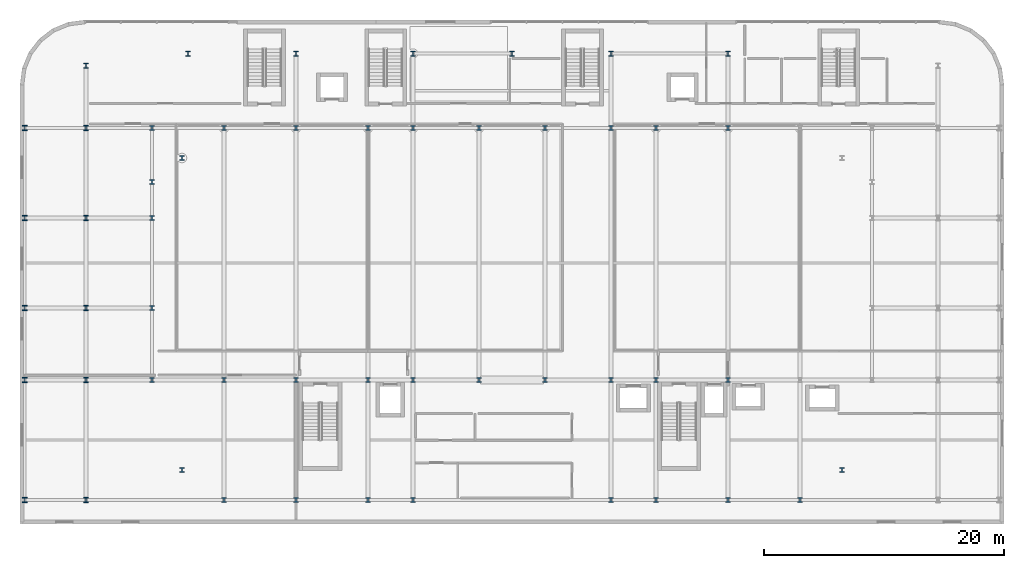
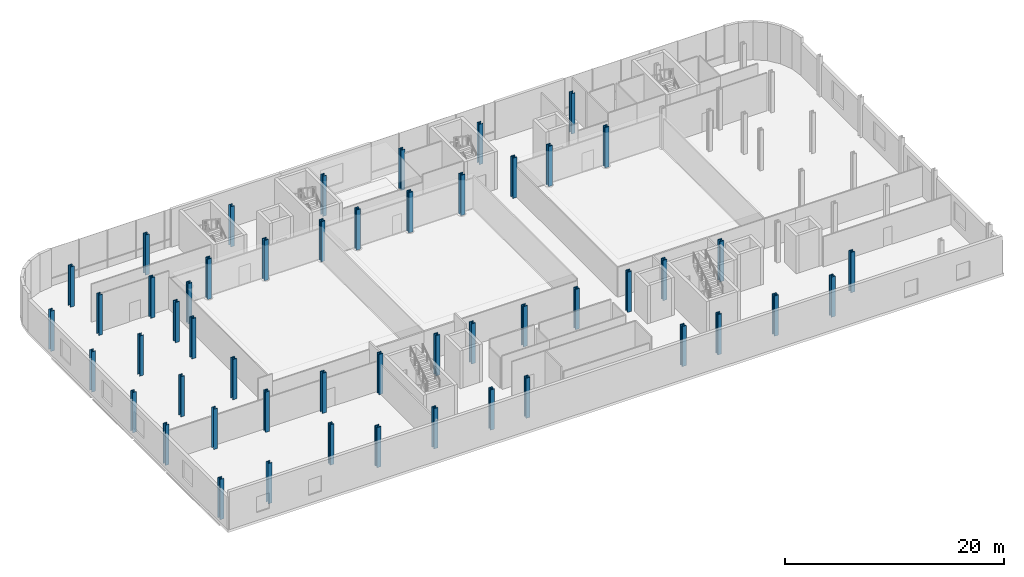
# One storey, part 1 of 25: 51 columns.
"""IFC4 building model written with IfcOpenShell, lengths in metres."""

from ifc_helpers import new_model, si_unit, direction, frame, origin, origin_2d, place, context, subcontext, project, spatial, i_section, extrude, material, material_profile, profile_set, type_object, element, save


model = new_model("IFC4")

# Units and contexts
model_context = context("Model", 3, precision=1e-05, world=origin(), true_north=direction((0.0, 1.0)))
body_context = subcontext(model_context, "Body", "Model", "MODEL_VIEW")
ifc_project = project(units=[si_unit("LENGTHUNIT", "METRE"), si_unit("AREAUNIT", "SQUARE_METRE"), si_unit("VOLUMEUNIT", "CUBIC_METRE"), si_unit("PLANEANGLEUNIT", "RADIAN"), si_unit("MASSUNIT", "GRAM", prefix="KILO")], contexts=[model_context])

# Site, building, storey
site_placement = place(None, origin())
site = spatial("IfcSite", under=ifc_project, at=site_placement, CompositionType="ELEMENT")
building_placement = place(site_placement, origin())
building = spatial("IfcBuilding", under=site, at=building_placement, Name="Brevholm Reach", CompositionType="ELEMENT")
storey_placement = place(building_placement, frame((0.0, 0.0, 13.5)))
storey = spatial("IfcBuildingStorey", under=building, at=storey_placement, Name="L03", CompositionType="ELEMENT", Elevation=13.5)

# Columns
ifc_material_1 = material(Name="Structural Steel S460ML", Category="steel")
ifc_material_profile_1 = material_profile(ifc_material_1, i_section(OverallWidth=0.4169921875, OverallDepth=0.430908203125, WebThickness=0.06494140625, FlangeThickness=0.10595703125, FilletRadius=0.014892578125, at=origin_2d()), Name="HD 400x900")
ifc_profile_set_1 = profile_set([ifc_material_profile_1], Name="Structural Steel S460ML")
column_type_1 = type_object("IfcColumnType", Name="COL-HD1B", PredefinedType="COLUMN", material=ifc_profile_set_1)
for number, where, z_axis, x_axis, name in (
    (1, (0.0, 10.0, 0.0), (0.0, 0.0, 1.0), (1.0, 0.0, 0.0), "L03 Column 12"),
    (2, (0.0, 16.0, 0.0), (0.0, 0.0, 1.0), (1.0, 0.0, 0.0), "L03 Column 13"),
    (3, (0.0, 23.5, 0.0), (0.0, 0.0, 1.0), (1.0, 0.0, 0.0), "L03 Column 14"),
    (4, (0.0, 26.5, 0.0), (0.0, 0.0, 1.0), (1.0, 0.0, 0.0), "L03 Column 15"),
    (5, (0.0, 31.0, 0.0), (0.0, 0.0, 1.0), (1.0, 0.0, 0.0), "L03 Column 16"),
    (6, (2.5, 2.5, 0.0), (0.0, 0.0, 1.0), (1.0, 0.0, 0.0), "L03 Column 17"),
    (7, (2.5, 28.5, 0.0), (0.0, 0.0, 1.0), (1.0, 0.0, 0.0), "L03 Column 18"),
    (8, (6.0, 0.0, 0.0), (0.0, 0.0, 1.0), (1.0, 0.0, 0.0), "L03 Column 20"),
    (9, (6.0, 10.0, 0.0), (0.0, 0.0, 1.0), (1.0, 0.0, 0.0), "L03 Column 21"),
    (10, (6.0, 31.0, 0.0), (0.0, 0.0, 1.0), (1.0, 0.0, 0.0), "L03 Column 22"),
    (11, (12.0, 0.0, 0.0), (0.0, 0.0, 1.0), (1.0, 0.0, 0.0), "L03 Column 23"),
    (12, (12.0, 10.0, 0.0), (0.0, 0.0, 1.0), (1.0, 0.0, 0.0), "L03 Column 24"),
    (13, (12.0, 31.0, 0.0), (0.0, 0.0, 1.0), (1.0, 0.0, 0.0), "L03 Column 25"),
    (14, (18.0, 0.0, 0.0), (0.0, 0.0, 1.0), (1.0, 0.0, 0.0), "L03 Column 27"),
    (15, (18.0, 10.0, 0.0), (0.0, 0.0, 1.0), (1.0, 0.0, 0.0), "L03 Column 28"),
    (16, (18.0, 31.0, 0.0), (0.0, 0.0, 1.0), (1.0, 0.0, 0.0), "L03 Column 29"),
    (17, (21.75, 0.0, 0.0), (0.0, 0.0, 1.0), (1.0, 0.0, 0.0), "L03 Column 30"),
    (18, (21.75, 10.0, 0.0), (0.0, 0.0, 1.0), (1.0, 0.0, 0.0), "L03 Column 31"),
    (19, (21.75, 31.0, 0.0), (0.0, 0.0, 1.0), (1.0, 0.0, 0.0), "L03 Column 32"),
    (20, (27.25, 10.0, 0.0), (0.0, 0.0, 1.0), (1.0, 0.0, 0.0), "L03 Column 34"),
    (21, (27.25, 31.0, 0.0), (0.0, 0.0, 1.0), (1.0, 0.0, 0.0), "L03 Column 35"),
    (22, (32.75, 10.0, 0.0), (0.0, 0.0, 1.0), (1.0, 0.0, 0.0), "L03 Column 37"),
    (23, (32.75, 31.0, 0.0), (0.0, 0.0, 1.0), (1.0, 0.0, 0.0), "L03 Column 38"),
    (24, (38.25, 0.0, 0.0), (0.0, 0.0, 1.0), (1.0, 0.0, 0.0), "L03 Column 39"),
    (25, (38.25, 10.0, 0.0), (0.0, 0.0, 1.0), (1.0, 0.0, 0.0), "L03 Column 40"),
    (26, (38.25, 31.0, 0.0), (0.0, 0.0, 1.0), (1.0, 0.0, 0.0), "L03 Column 41"),
    (27, (42.0, 0.0, 0.0), (0.0, 0.0, 1.0), (1.0, 0.0, 0.0), "L03 Column 43"),
    (28, (42.0, 10.0, 0.0), (0.0, 0.0, 1.0), (1.0, 0.0, 0.0), "L03 Column 44"),
    (29, (42.0, 31.0, 0.0), (0.0, 0.0, 1.0), (1.0, 0.0, 0.0), "L03 Column 45"),
    (30, (48.0, 0.0, 0.0), (0.0, 0.0, 1.0), (1.0, 0.0, 0.0), "L03 Column 46"),
    (31, (48.0, 10.0, 0.0), (0.0, 0.0, 1.0), (1.0, 0.0, 0.0), "L03 Column 47"),
    (32, (48.0, 31.0, 0.0), (0.0, 0.0, 1.0), (1.0, 0.0, 0.0), "L03 Column 48"),
    (33, (54.0, 0.0, 0.0), (0.0, 0.0, 1.0), (1.0, 0.0, 0.0), "L03 Column 50"),
    (34, (57.5, 2.5, 0.0), (0.0, 0.0, 1.0), (1.0, 0.0, 0.0), "L03 Column 54"),
):
    element("IfcColumn", number, at=place(storey_placement, frame(where, z_axis=z_axis, x_axis=x_axis)), inside=storey, type_object=column_type_1, Name=name, PredefinedType="COLUMN", context=body_context, shape_type="SweptSolid", body=[
        extrude(i_section(OverallWidth=0.4169921875, OverallDepth=0.430908203125, WebThickness=0.06494140625, FlangeThickness=0.10595703125, FilletRadius=0.014892578125, at=origin_2d()), origin(), (0.0, 0.0, 1.0), 4.5),
    ])
ifc_material_2 = material(Name="Structural Steel S355J2", Category="steel")
ifc_material_profile_2 = material_profile(ifc_material_2, i_section(OverallWidth=0.406982421875, OverallDepth=0.4189453125, WebThickness=0.030517578125, FlangeThickness=0.04931640625, FilletRadius=0.01513671875, at=origin_2d()), Name="UKC 356x406x393")
ifc_profile_set_2 = profile_set([ifc_material_profile_2], Name="Structural Steel S355J2")
column_type_2 = type_object("IfcColumnType", Name="COL-UC4", PredefinedType="COLUMN", material=ifc_profile_set_2)
for number, where, z_axis, x_axis, name in (
    (35, (-10.60009765625, 0.0, 0.0), (0.0, 0.0, 1.0), (1.0, 0.0, 0.0), "L03 Column 01"),
    (36, (-10.60009765625, 10.0, 0.0), (0.0, 0.0, 1.0), (1.0, 0.0, 0.0), "L03 Column 02"),
    (37, (-10.60009765625, 16.0, 0.0), (0.0, 0.0, 1.0), (1.0, 0.0, 0.0), "L03 Column 03"),
    (38, (-10.60009765625, 23.5, 0.0), (0.0, 0.0, 1.0), (1.0, 0.0, 0.0), "L03 Column 04"),
    (39, (-10.60009765625, 31.0, 0.0), (0.0, 0.0, 1.0), (1.0, 0.0, 0.0), "L03 Column 05"),
    (40, (-5.5, 0.0, 0.0), (0.0, 0.0, 1.0), (1.0, 0.0, 0.0), "L03 Column 06"),
    (41, (-5.5, 10.0, 0.0), (0.0, 0.0, 1.0), (1.0, 0.0, 0.0), "L03 Column 07"),
    (42, (-5.5, 16.0, 0.0), (0.0, 0.0, 1.0), (1.0, 0.0, 0.0), "L03 Column 08"),
    (43, (-5.5, 23.5, 0.0), (0.0, 0.0, 1.0), (1.0, 0.0, 0.0), "L03 Column 09"),
    (44, (-5.5, 31.0, 0.0), (0.0, 0.0, 1.0), (1.0, 0.0, 0.0), "L03 Column 10"),
    (45, (-5.5, 36.199951171875, 0.0), (0.0, 0.0, 1.0), (1.0, 0.0, 0.0), "L03 Column 11"),
    (46, (3.0, 37.199951171875, 0.0), (0.0, 0.0, 1.0), (1.0, 0.0, 0.0), "L03 Column 19"),
    (47, (12.0, 37.199951171875, 0.0), (0.0, 0.0, 1.0), (1.0, 0.0, 0.0), "L03 Column 26"),
    (48, (21.75, 37.199951171875, 0.0), (0.0, 0.0, 1.0), (1.0, 0.0, 0.0), "L03 Column 33"),
    (49, (30.0, 37.199951171875, 0.0), (0.0, 0.0, 1.0), (1.0, 0.0, 0.0), "L03 Column 36"),
    (50, (38.25, 37.199951171875, 0.0), (0.0, 0.0, 1.0), (1.0, 0.0, 0.0), "L03 Column 42"),
    (51, (48.0, 37.199951171875, 0.0), (0.0, 0.0, 1.0), (1.0, 0.0, 0.0), "L03 Column 49"),
):
    element("IfcColumn", number, at=place(storey_placement, frame(where, z_axis=z_axis, x_axis=x_axis)), inside=storey, type_object=column_type_2, Name=name, PredefinedType="COLUMN", context=body_context, shape_type="SweptSolid", body=[
        extrude(i_section(OverallWidth=0.406982421875, OverallDepth=0.4189453125, WebThickness=0.030517578125, FlangeThickness=0.04931640625, FilletRadius=0.01513671875, at=origin_2d()), origin(), (0.0, 0.0, 1.0), 4.5),
    ])

save(model, "model.ifc")
